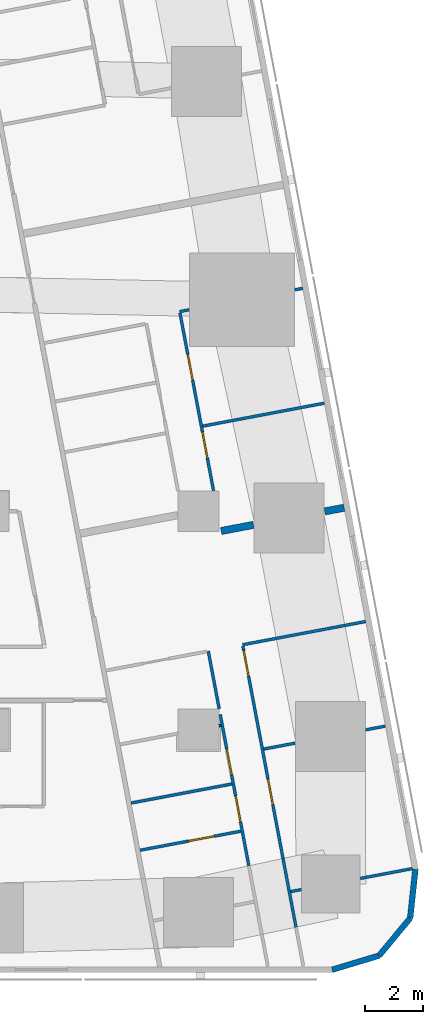
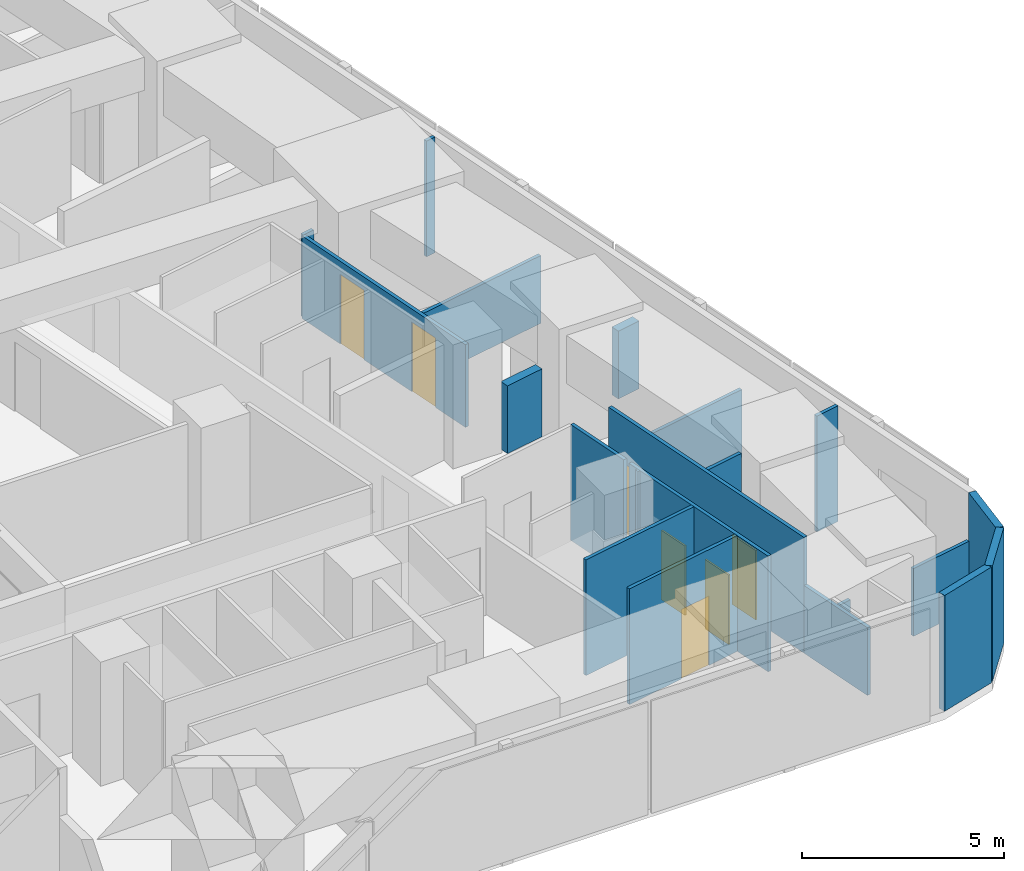
# One storey, part 5 of 11: 21 walls, 7 doors, 7 openings.
"""IFC4 building model written with IfcOpenShell, lengths in metres."""

from ifc_helpers import new_model, si_unit, direction, frame, frame_2d, origin, place, context, subcontext, project, spatial, rectangle, extrude, material, layer, layer_set, type_object, element, fill, save


model = new_model("IFC4")

# Units and contexts
model_context = context("Model", 3, precision=1e-05, world=origin(), true_north=direction((0.0, 1.0)))
body_context = subcontext(model_context, "Body", "Model", "MODEL_VIEW")
ifc_project = project(units=[si_unit("LENGTHUNIT", "METRE"), si_unit("AREAUNIT", "SQUARE_METRE"), si_unit("VOLUMEUNIT", "CUBIC_METRE"), si_unit("PLANEANGLEUNIT", "RADIAN"), si_unit("MASSUNIT", "GRAM", prefix="KILO")], contexts=[model_context])

# Site, building, storey
site_placement = place(None, origin())
site = spatial("IfcSite", under=ifc_project, at=site_placement, CompositionType="ELEMENT")
building_placement = place(site_placement, origin())
building = spatial("IfcBuilding", under=site, at=building_placement, Name="Sheger Commons Tower", CompositionType="ELEMENT")
storey_placement = place(building_placement, frame((0.0, 0.0, 223.699951171875)))
storey = spatial("IfcBuildingStorey", under=building, at=storey_placement, Name="L57", CompositionType="ELEMENT", Elevation=223.699951171875)

# Walls
ifc_material_1 = material(Name="Dense concrete block masonry, plastered both sides (separating wall between flats)", Category="masonry")
ifc_layer_1 = layer(ifc_material_1, 0.25)
ifc_layer_set_1 = layer_set([ifc_layer_1], Name="DEMISING WALL 250")
wall_type_1 = type_object("IfcWallType", Name="DEMISING WALL 250", PredefinedType="SOLIDWALL", material=ifc_layer_set_1)
wall_1_placement = place(storey_placement, frame((48.2060546875, 15.1201171875, 0.0), z_axis=(0.0, 0.0, 1.0), x_axis=(-0.982610999048, -0.18567612811, 0.0)))
element("IfcWall", 1, at=wall_1_placement, inside=storey, type_object=wall_type_1, Name="Demising wall L57", PredefinedType="SOLIDWALL", context=body_context, shape_type="SweptSolid", body=[
    extrude(rectangle(XDim=0.6796875, YDim=0.25, at=frame_2d((0.33984375, 0.0))), origin(), (0.0, 0.0, 1.0), 2.050048828125),
])
wall_2_placement = place(storey_placement, frame((45.090087890625, 14.531005859375, 0.0), z_axis=(0.0, 0.0, 1.0), x_axis=(-0.982737354171, -0.185006196431, 0.0)))
element("IfcWall", 2, at=wall_2_placement, inside=storey, type_object=wall_type_1, Name="Demising wall L57", PredefinedType="SOLIDWALL", context=body_context, shape_type="SweptSolid", body=[
    extrude(rectangle(XDim=1.129638671875, YDim=0.25, at=frame_2d((0.56494140625, 0.0))), origin(), (0.0, 0.0, 1.0), 2.050048828125),
])
ifc_material_2 = material(Name="Rendered concrete block masonry, dark grey", Category="masonry")
ifc_layer_2 = layer(ifc_material_2, 0.199951171875)
ifc_layer_set_2 = layer_set([ifc_layer_2], Name="FACADE WALL 200")
wall_type_2 = type_object("IfcWallType", Name="FACADE WALL 200", PredefinedType="SOLIDWALL", material=ifc_layer_set_2)
wall_3_placement = place(storey_placement, frame((47.791015625, -0.75, 0.0), z_axis=(0.0, 0.0, 1.0), x_axis=(0.957455232626, 0.288581838509, 0.0)))
element("IfcWall", 3, at=wall_3_placement, inside=storey, type_object=wall_type_2, Name="Facade wall L57", PredefinedType="SOLIDWALL", context=body_context, shape_type="SweptSolid", body=[
    extrude(rectangle(XDim=1.687744140625, YDim=0.199951171875, at=frame_2d((0.84375, 0.0))), origin(), (0.0, 0.0, 1.0), 3.5),
])
wall_4_placement = place(storey_placement, frame((49.406982421875, -0.262939453125, 0.0), z_axis=(0.0, 0.0, 1.0), x_axis=(0.638042593423, 0.770001070764, 0.0)))
element("IfcWall", 4, at=wall_4_placement, inside=storey, type_object=wall_type_2, Name="Facade wall L57", PredefinedType="SOLIDWALL", context=body_context, shape_type="SweptSolid", body=[
    extrude(rectangle(XDim=1.672607421875, YDim=0.199951171875, at=frame_2d((0.83642578125, 0.0))), origin(), (0.0, 0.0, 1.0), 3.5),
])
wall_5_placement = place(storey_placement, frame((50.47412109375, 1.02490234375, 0.0), z_axis=(0.0, 0.0, 1.0), x_axis=(0.106047815515, 0.994361031429, 0.0)))
element("IfcWall", 5, at=wall_5_placement, inside=storey, type_object=wall_type_2, Name="Facade wall L57", PredefinedType="SOLIDWALL", context=body_context, shape_type="SweptSolid", body=[
    extrude(rectangle(XDim=1.6875, YDim=0.199951171875, at=frame_2d((0.84375, 0.0))), origin(), (0.0, 0.0, 1.0), 3.5),
])

# Wall, openings, doors
ifc_material_3 = material(Name="Gypsum board on steel studs", Category="steel")
ifc_layer_3 = layer(ifc_material_3, 0.10009765625)
ifc_layer_set_3 = layer_set([ifc_layer_3], Name="PARTITION 100")
wall_type_3 = type_object("IfcWallType", Name="PARTITION 100", PredefinedType="PARTITIONING", material=ifc_layer_set_3)
wall_6_placement = place(storey_placement, frame((42.56591796875, 21.80908203125, 0.0), z_axis=(0.0, 0.0, 1.0), x_axis=(0.185613526435, -0.98262282632, 0.0)))
wall_6 = element("IfcWall", 6, at=wall_6_placement, inside=storey, type_object=wall_type_3, Name="Partition L57", PredefinedType="PARTITIONING", context=body_context, shape_type="SweptSolid", body=[
    extrude(rectangle(XDim=6.20703125, YDim=0.10009765625, at=frame_2d((3.103515625, 0.0))), origin(), (0.0, 0.0, 1.0), 2.5),
])
opening_1_placement = place(wall_6_placement, frame((1.449951171875, 0.0, 0.0)))
opening_1 = element("IfcOpeningElement", 7, at=opening_1_placement, cuts=wall_6, Name="Opening D2", PredefinedType="OPENING", context=body_context, shape_type="SweptSolid", body=[
    extrude(rectangle(XDim=0.89990234375, YDim=2.10009765625, at=frame_2d((0.449951171875, 1.050048828125))), frame((0.0, 0.06005859375, 0.0), z_axis=(0.0, -1.0, 0.0), x_axis=(1.0, 0.0, 0.0)), (0.0, 0.0, 1.0), 0.1201171875),
])
opening_2_placement = place(wall_6_placement, frame((4.1630859375, 0.0, 0.0)))
opening_2 = element("IfcOpeningElement", 8, at=opening_2_placement, cuts=wall_6, Name="Opening D2", PredefinedType="OPENING", context=body_context, shape_type="SweptSolid", body=[
    extrude(rectangle(XDim=0.89990234375, YDim=2.10009765625, at=frame_2d((0.449951171875, 1.050048828125))), frame((0.0, 0.06005859375, 0.0), z_axis=(0.0, -1.0, 0.0), x_axis=(1.0, 0.0, 0.0)), (0.0, 0.0, 1.0), 0.1201171875),
])
ifc_material_4 = material(Name="Timber door set", Category="wood")
door_type = type_object("IfcDoorType", Name="INTERNAL DOOR 900x2100", OperationType="NOTDEFINED", PredefinedType="DOOR", material=ifc_material_4)
door_1_placement = place(opening_1_placement, origin())
door_1 = element("IfcDoor", 9, at=door_1_placement, inside=storey, type_object=door_type, Name="Main bedroom door", OperationType="SINGLE_SWING_LEFT", OverallHeight=2.10009765625, OverallWidth=0.89990234375, PredefinedType="DOOR", context=body_context, shape_type="SweptSolid", body=[
    extrude(rectangle(XDim=0.89990234375, YDim=2.10009765625, at=frame_2d((0.449951171875, 1.050048828125))), frame((0.0, 0.02490234375, 0.0), z_axis=(0.0, -1.0, 0.0), x_axis=(1.0, 0.0, 0.0)), (0.0, 0.0, 1.0), 0.050048828125),
])
fill(opening_1, door_1)
door_2_placement = place(opening_2_placement, origin())
door_2 = element("IfcDoor", 10, at=door_2_placement, inside=storey, type_object=door_type, Name="Bedroom 2 door", OperationType="SINGLE_SWING_LEFT", OverallHeight=2.10009765625, OverallWidth=0.89990234375, PredefinedType="DOOR", context=body_context, shape_type="SweptSolid", body=[
    extrude(rectangle(XDim=0.89990234375, YDim=2.10009765625, at=frame_2d((0.449951171875, 1.050048828125))), frame((0.0, 0.02490234375, 0.0), z_axis=(0.0, -1.0, 0.0), x_axis=(1.0, 0.0, 0.0)), (0.0, 0.0, 1.0), 0.050048828125),
])
fill(opening_2, door_2)

# Walls
wall_7_placement = place(storey_placement, frame((46.781982421875, 22.656982421875, 0.0), z_axis=(0.0, 0.0, 1.0), x_axis=(-0.982574553168, -0.185868898601, 0.0)))
element("IfcWall", 11, at=wall_7_placement, inside=storey, type_object=wall_type_3, Name="Partition L57", PredefinedType="PARTITIONING", context=body_context, shape_type="SweptSolid", body=[
    extrude(rectangle(XDim=0.27978515625, YDim=0.10009765625, at=frame_2d((0.139892578125, 0.0))), origin(), (0.0, 0.0, 1.0), 3.5),
])
wall_8_placement = place(storey_placement, frame((42.886962890625, 21.9208984375, 0.0), z_axis=(0.0, 0.0, 1.0), x_axis=(-0.982274918032, -0.187445953293, 0.0)))
element("IfcWall", 12, at=wall_8_placement, inside=storey, type_object=wall_type_3, Name="Partition L57", PredefinedType="PARTITIONING", context=body_context, shape_type="SweptSolid", body=[
    extrude(rectangle(XDim=0.3359375, YDim=0.10009765625, at=frame_2d((0.16796875, 0.0))), origin(), (0.0, 0.0, 1.0), 2.5),
])
wall_9_placement = place(storey_placement, frame((47.527099609375, 18.7119140625, 0.0), z_axis=(0.0, 0.0, 1.0), x_axis=(-0.982665405803, -0.185387972203, 0.0)))
element("IfcWall", 13, at=wall_9_placement, inside=storey, type_object=wall_type_3, Name="Partition L57", PredefinedType="PARTITIONING", context=body_context, shape_type="SweptSolid", body=[
    extrude(rectangle(XDim=4.249755859375, YDim=0.10009765625, at=frame_2d((2.125, 0.0))), origin(), (0.0, 0.0, 1.0), 2.050048828125),
])

# Wall, openings, doors
wall_10_placement = place(storey_placement, frame((44.72705078125, 10.365966796875, 0.0), z_axis=(0.0, 0.0, 1.0), x_axis=(0.185678775129, -0.982610498858, 0.0)))
wall_10 = element("IfcWall", 14, at=wall_10_placement, inside=storey, type_object=wall_type_3, Name="Partition L57", PredefinedType="PARTITIONING", context=body_context, shape_type="SweptSolid", body=[
    extrude(rectangle(XDim=7.421142578125, YDim=0.10009765625, at=frame_2d((3.71044921875, 0.0))), origin(), (0.0, 0.0, 1.0), 3.5),
])
opening_3_placement = place(wall_10_placement, frame((0.15087890625, 0.0, 0.0)))
opening_3 = element("IfcOpeningElement", 15, at=opening_3_placement, cuts=wall_10, Name="Opening D2", PredefinedType="OPENING", context=body_context, shape_type="SweptSolid", body=[
    extrude(rectangle(XDim=0.89990234375, YDim=2.10009765625, at=frame_2d((0.449951171875, 1.050048828125))), frame((0.0, 0.06005859375, 0.0), z_axis=(0.0, -1.0, 0.0), x_axis=(1.0, 0.0, 0.0)), (0.0, 0.0, 1.0), 0.1201171875),
])
opening_4_placement = place(wall_10_placement, frame((4.64990234375, 0.0, 0.0)))
opening_4 = element("IfcOpeningElement", 16, at=opening_4_placement, cuts=wall_10, Name="Opening D2", PredefinedType="OPENING", context=body_context, shape_type="SweptSolid", body=[
    extrude(rectangle(XDim=0.89990234375, YDim=2.10009765625, at=frame_2d((0.449951171875, 1.050048828125))), frame((0.0, 0.06005859375, 0.0), z_axis=(0.0, -1.0, 0.0), x_axis=(1.0, 0.0, 0.0)), (0.0, 0.0, 1.0), 0.1201171875),
])
door_3_placement = place(opening_3_placement, origin())
door_3 = element("IfcDoor", 17, at=door_3_placement, inside=storey, type_object=door_type, Name="Main bedroom door", OperationType="SINGLE_SWING_LEFT", OverallHeight=2.10009765625, OverallWidth=0.89990234375, PredefinedType="DOOR", context=body_context, shape_type="SweptSolid", body=[
    extrude(rectangle(XDim=0.89990234375, YDim=2.10009765625, at=frame_2d((0.449951171875, 1.050048828125))), frame((0.0, 0.02490234375, 0.0), z_axis=(0.0, -1.0, 0.0), x_axis=(1.0, 0.0, 0.0)), (0.0, 0.0, 1.0), 0.050048828125),
])
fill(opening_3, door_3)
door_4_placement = place(opening_4_placement, origin())
door_4 = element("IfcDoor", 18, at=door_4_placement, inside=storey, type_object=door_type, Name="Bedroom 2 door", OperationType="SINGLE_SWING_LEFT", OverallHeight=2.10009765625, OverallWidth=0.89990234375, PredefinedType="DOOR", context=body_context, shape_type="SweptSolid", body=[
    extrude(rectangle(XDim=0.89990234375, YDim=2.10009765625, at=frame_2d((0.449951171875, 1.050048828125))), frame((0.0, 0.02490234375, 0.0), z_axis=(0.0, -1.0, 0.0), x_axis=(1.0, 0.0, 0.0)), (0.0, 0.0, 1.0), 0.050048828125),
])
fill(opening_4, door_4)

# Walls
wall_11_placement = place(storey_placement, frame((46.10498046875, 3.073974609375, 0.0), z_axis=(0.0, 0.0, 1.0), x_axis=(0.185631845838, -0.982619365681, 0.0)))
element("IfcWall", 19, at=wall_11_placement, inside=storey, type_object=wall_type_3, Name="Partition L57", PredefinedType="PARTITIONING", context=body_context, shape_type="SweptSolid", body=[
    extrude(rectangle(XDim=2.40283203125, YDim=0.10009765625, at=frame_2d((1.201416015625, 0.0))), origin(), (0.0, 0.0, 1.0), 2.050048828125),
])
wall_12_placement = place(storey_placement, frame((43.5390625, 10.19189453125, 0.0), z_axis=(0.0, 0.0, 1.0), x_axis=(0.185443145218, -0.982654995353, 0.0)))
element("IfcWall", 20, at=wall_12_placement, inside=storey, type_object=wall_type_3, Name="Partition L57", PredefinedType="PARTITIONING", context=body_context, shape_type="SweptSolid", body=[
    extrude(rectangle(XDim=2.016845703125, YDim=0.10009765625, at=frame_2d((1.00830078125, 0.0))), origin(), (0.0, 0.0, 1.0), 3.5),
])

# Wall, openings, doors
wall_13_placement = place(storey_placement, frame((43.948974609375, 8.02001953125, 0.0), z_axis=(0.0, 0.0, 1.0), x_axis=(0.185656792073, -0.982614652627, 0.0)))
wall_13 = element("IfcWall", 21, at=wall_13_placement, inside=storey, type_object=wall_type_3, Name="Partition L57", PredefinedType="PARTITIONING", context=body_context, shape_type="SweptSolid", body=[
    extrude(rectangle(XDim=5.2890625, YDim=0.10009765625, at=frame_2d((2.64453125, 0.0))), origin(), (0.0, 0.0, 1.0), 3.5),
])
opening_5_placement = place(wall_13_placement, frame((1.199951171875, 0.0, 0.0)))
opening_5 = element("IfcOpeningElement", 22, at=opening_5_placement, cuts=wall_13, Name="Opening D2", PredefinedType="OPENING", context=body_context, shape_type="SweptSolid", body=[
    extrude(rectangle(XDim=0.89990234375, YDim=2.10009765625, at=frame_2d((0.449951171875, 1.050048828125))), frame((0.0, 0.06005859375, 0.0), z_axis=(0.0, -1.0, 0.0), x_axis=(1.0, 0.0, 0.0)), (0.0, 0.0, 1.0), 0.1201171875),
])
opening_6_placement = place(wall_13_placement, frame((2.85498046875, 0.0, 0.0)))
opening_6 = element("IfcOpeningElement", 23, at=opening_6_placement, cuts=wall_13, Name="Opening D2", PredefinedType="OPENING", context=body_context, shape_type="SweptSolid", body=[
    extrude(rectangle(XDim=0.89990234375, YDim=2.10009765625, at=frame_2d((0.449951171875, 1.050048828125))), frame((0.0, 0.06005859375, 0.0), z_axis=(0.0, -1.0, 0.0), x_axis=(1.0, 0.0, 0.0)), (0.0, 0.0, 1.0), 0.1201171875),
])
door_5_placement = place(opening_5_placement, origin())
door_5 = element("IfcDoor", 24, at=door_5_placement, inside=storey, type_object=door_type, Name="Bathroom door", OperationType="SINGLE_SWING_LEFT", OverallHeight=2.10009765625, OverallWidth=0.89990234375, PredefinedType="DOOR", context=body_context, shape_type="SweptSolid", body=[
    extrude(rectangle(XDim=0.89990234375, YDim=2.10009765625, at=frame_2d((0.449951171875, 1.050048828125))), frame((0.0, 0.02490234375, 0.0), z_axis=(0.0, -1.0, 0.0), x_axis=(1.0, 0.0, 0.0)), (0.0, 0.0, 1.0), 0.050048828125),
])
fill(opening_5, door_5)
door_6_placement = place(opening_6_placement, origin())
door_6 = element("IfcDoor", 25, at=door_6_placement, inside=storey, type_object=door_type, Name="Store door", OperationType="SINGLE_SWING_LEFT", OverallHeight=2.10009765625, OverallWidth=0.89990234375, PredefinedType="DOOR", context=body_context, shape_type="SweptSolid", body=[
    extrude(rectangle(XDim=0.89990234375, YDim=2.10009765625, at=frame_2d((0.449951171875, 1.050048828125))), frame((0.0, 0.02490234375, 0.0), z_axis=(0.0, -1.0, 0.0), x_axis=(1.0, 0.0, 0.0)), (0.0, 0.0, 1.0), 0.050048828125),
])
fill(opening_6, door_6)

# Walls
wall_14_placement = place(storey_placement, frame((48.943115234375, 11.212890625, 0.0), z_axis=(0.0, 0.0, 1.0), x_axis=(-0.982633535512, -0.185556823879, 0.0)))
element("IfcWall", 26, at=wall_14_placement, inside=storey, type_object=wall_type_3, Name="Partition L57", PredefinedType="PARTITIONING", context=body_context, shape_type="SweptSolid", body=[
    extrude(rectangle(XDim=4.2998046875, YDim=0.10009765625, at=frame_2d((2.14990234375, 0.0))), origin(), (0.0, 0.0, 1.0), 2.050048828125),
])
wall_15_placement = place(storey_placement, frame((49.6220703125, 7.6201171875, 0.0), z_axis=(0.0, 0.0, 1.0), x_axis=(-0.98254419619, -0.186029305578, 0.0)))
element("IfcWall", 27, at=wall_15_placement, inside=storey, type_object=wall_type_3, Name="Partition L57", PredefinedType="PARTITIONING", context=body_context, shape_type="SweptSolid", body=[
    extrude(rectangle(XDim=0.6943359375, YDim=0.10009765625, at=frame_2d((0.34716796875, 0.0))), origin(), (0.0, 0.0, 1.0), 3.5),
])
wall_16_placement = place(storey_placement, frame((46.52001953125, 7.034912109375, 0.0), z_axis=(0.0, 0.0, 1.0), x_axis=(-0.982620932907, -0.185623549726, 0.0)))
element("IfcWall", 28, at=wall_16_placement, inside=storey, type_object=wall_type_3, Name="Partition L57", PredefinedType="PARTITIONING", context=body_context, shape_type="SweptSolid", body=[
    extrude(rectangle(XDim=1.093017578125, YDim=0.10009765625, at=frame_2d((0.54638671875, 0.0))), origin(), (0.0, 0.0, 1.0), 3.5),
])
wall_17_placement = place(storey_placement, frame((50.547119140625, 2.72607421875, 0.0), z_axis=(0.0, 0.0, 1.0), x_axis=(-0.982603988143, -0.185713226471, 0.0)))
element("IfcWall", 29, at=wall_17_placement, inside=storey, type_object=wall_type_3, Name="Partition L57", PredefinedType="PARTITIONING", context=body_context, shape_type="SweptSolid", body=[
    extrude(rectangle(XDim=1.82080078125, YDim=0.10009765625, at=frame_2d((0.910400390625, 0.0))), origin(), (0.0, 0.0, 1.0), 2.050048828125),
])
wall_18_placement = place(storey_placement, frame((46.738037109375, 2.006103515625, 0.0), z_axis=(0.0, 0.0, 1.0), x_axis=(-0.982820466874, -0.184564161994, 0.0)))
element("IfcWall", 30, at=wall_18_placement, inside=storey, type_object=wall_type_3, Name="Partition L57", PredefinedType="PARTITIONING", context=body_context, shape_type="SweptSolid", body=[
    extrude(rectangle(XDim=0.374267578125, YDim=0.10009765625, at=frame_2d((0.18701171875, 0.0))), origin(), (0.0, 0.0, 1.0), 2.050048828125),
])
wall_19_placement = place(storey_placement, frame((43.968994140625, 7.64599609375, 0.0), z_axis=(0.0, 0.0, 1.0), x_axis=(-0.983147034646, -0.182816597351, 0.0)))
element("IfcWall", 31, at=wall_19_placement, inside=storey, type_object=wall_type_3, Name="Partition L57", PredefinedType="PARTITIONING", context=body_context, shape_type="SweptSolid", body=[
    extrude(rectangle(XDim=0.06005859375, YDim=0.10009765625, at=frame_2d((0.030029296875, 0.0))), origin(), (0.0, 0.0, 1.0), 3.5),
])
wall_20_placement = place(storey_placement, frame((44.35009765625, 5.631103515625, 0.0), z_axis=(0.0, 0.0, 1.0), x_axis=(-0.982638553676, -0.185530247748, 0.0)))
element("IfcWall", 32, at=wall_20_placement, inside=storey, type_object=wall_type_3, Name="Partition L57", PredefinedType="PARTITIONING", context=body_context, shape_type="SweptSolid", body=[
    extrude(rectangle(XDim=3.525390625, YDim=0.10009765625, at=frame_2d((1.7626953125, 0.0))), origin(), (0.0, 0.0, 1.0), 3.5),
])

# Wall, opening, door
wall_21_placement = place(storey_placement, frame((41.19189453125, 3.35595703125, 0.0), z_axis=(0.0, 0.0, 1.0), x_axis=(0.982588017646, 0.185797706064, 0.0)))
wall_21 = element("IfcWall", 33, at=wall_21_placement, inside=storey, type_object=wall_type_3, Name="Partition L57", PredefinedType="PARTITIONING", context=body_context, shape_type="SweptSolid", body=[
    extrude(rectangle(XDim=3.525390625, YDim=0.10009765625, at=frame_2d((1.7626953125, 0.0))), origin(), (0.0, 0.0, 1.0), 3.5),
])
opening_7_placement = place(wall_21_placement, frame((1.699951171875, 0.0, 0.0)))
opening_7 = element("IfcOpeningElement", 34, at=opening_7_placement, cuts=wall_21, Name="Opening D2", PredefinedType="OPENING", context=body_context, shape_type="SweptSolid", body=[
    extrude(rectangle(XDim=0.89990234375, YDim=2.10009765625, at=frame_2d((0.449951171875, 1.050048828125))), frame((0.0, 0.06005859375, 0.0), z_axis=(0.0, -1.0, 0.0), x_axis=(1.0, 0.0, 0.0)), (0.0, 0.0, 1.0), 0.1201171875),
])
door_7_placement = place(opening_7_placement, origin())
door_7 = element("IfcDoor", 35, at=door_7_placement, inside=storey, type_object=door_type, Name="Store door", OperationType="SINGLE_SWING_RIGHT", OverallHeight=2.10009765625, OverallWidth=0.89990234375, PredefinedType="DOOR", context=body_context, shape_type="SweptSolid", body=[
    extrude(rectangle(XDim=0.89990234375, YDim=2.10009765625, at=frame_2d((0.449951171875, 1.050048828125))), frame((0.0, 0.02490234375, 0.0), z_axis=(0.0, -1.0, 0.0), x_axis=(1.0, 0.0, 0.0)), (0.0, 0.0, 1.0), 0.050048828125),
])
fill(opening_7, door_7)

save(model, "model.ifc")
